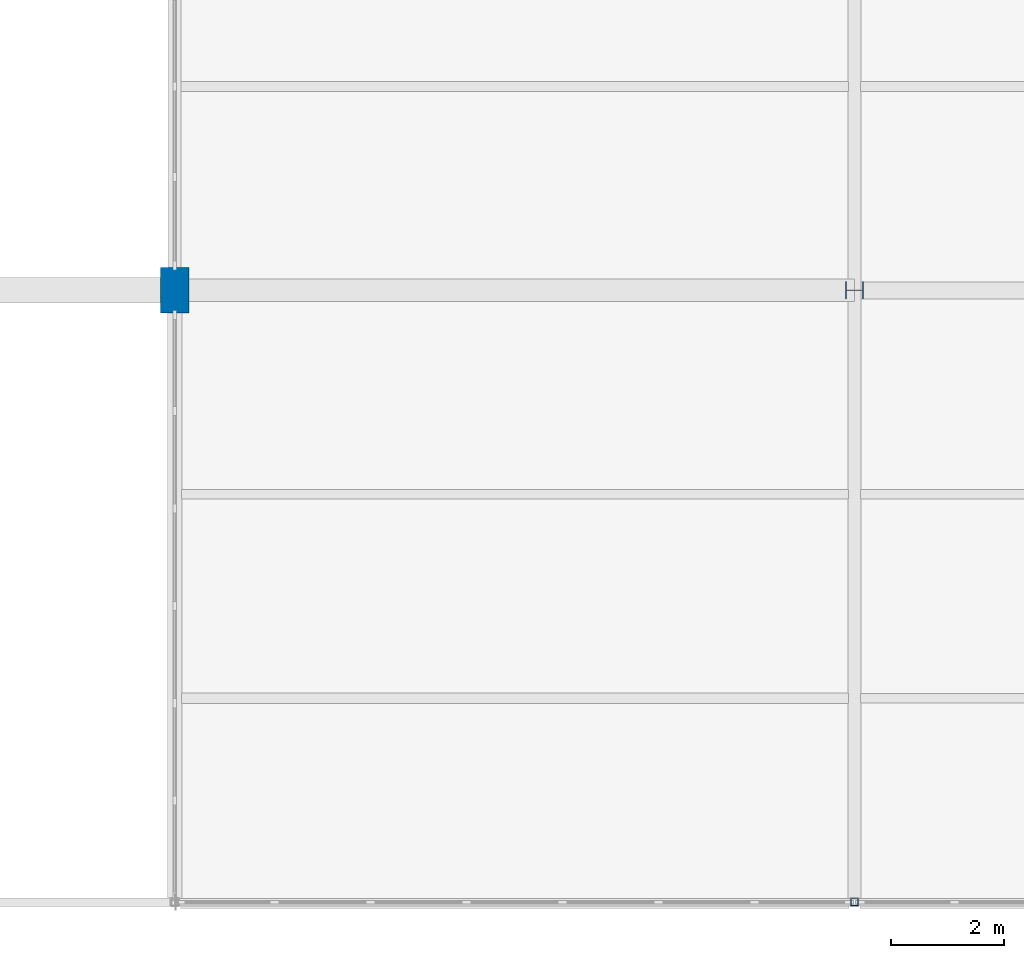
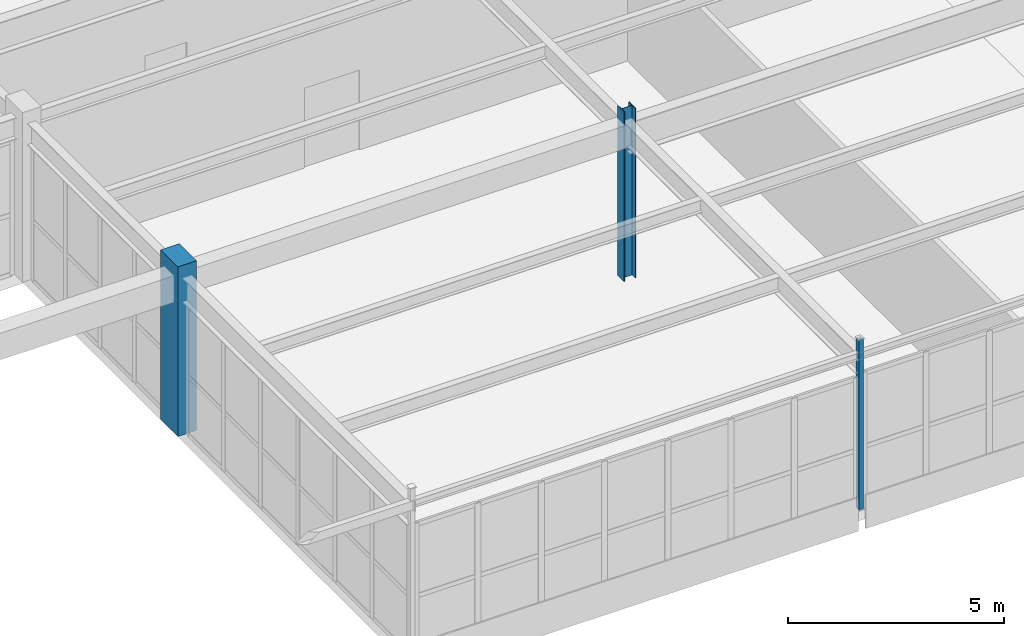
# One storey, part 34 of 186: 3 columns.
"""IFC4 building model written with IfcOpenShell, lengths in metres."""

from ifc_helpers import new_model, si_unit, direction, frame, origin, origin_2d, place, context, subcontext, project, spatial, rectangle, hollow_rectangle, i_section, extrude, material, material_profile, profile_set, type_object, element, save


model = new_model("IFC4")

# Units and contexts
model_context = context("Model", 3, precision=1e-05, world=origin(), true_north=direction((0.0, 1.0)))
body_context = subcontext(model_context, "Body", "Model", "MODEL_VIEW")
ifc_project = project(units=[si_unit("LENGTHUNIT", "METRE"), si_unit("AREAUNIT", "SQUARE_METRE"), si_unit("VOLUMEUNIT", "CUBIC_METRE"), si_unit("PLANEANGLEUNIT", "RADIAN"), si_unit("MASSUNIT", "GRAM", prefix="KILO")], contexts=[model_context])

# Site, building, storey
site_placement = place(None, origin())
site = spatial("IfcSite", under=ifc_project, at=site_placement, CompositionType="ELEMENT")
building_placement = place(site_placement, origin())
building = spatial("IfcBuilding", under=site, at=building_placement, Name="Tarnwether General Hospital", CompositionType="ELEMENT")
storey_placement = place(building_placement, frame((0.0, 0.0, 9.60009765625)))
storey = spatial("IfcBuildingStorey", under=building, at=storey_placement, Name="L02", CompositionType="ELEMENT", Elevation=9.60009765625)

# Columns
ifc_material_1 = material(Name="Steel Grade 350 (350 MPa)", Category="steel")
ifc_material_profile_1 = material_profile(ifc_material_1, i_section(OverallWidth=0.306884765625, OverallDepth=0.31494140625, WebThickness=0.011962890625, FlangeThickness=0.018798828125, at=origin_2d()), Name="310UC118")
ifc_profile_set_1 = profile_set([ifc_material_profile_1], Name="Steel Grade 350 (350 MPa)")
column_type_1 = type_object("IfcColumnType", Name="COL-07", PredefinedType="COLUMN", material=ifc_profile_set_1)
column_1_placement = place(storey_placement, frame((156.0, 10.800048828125, 0.0), z_axis=(0.0, 0.0, 1.0), x_axis=(0.0, 1.0, 0.0)))
element("IfcColumn", 1, at=column_1_placement, inside=storey, type_object=column_type_1, Name="Column COLG-L02-15600_1080", PredefinedType="COLUMN", context=body_context, shape_type="SweptSolid", body=[
    extrude(i_section(OverallWidth=0.306884765625, OverallDepth=0.31494140625, WebThickness=0.011962890625, FlangeThickness=0.018798828125, at=origin_2d()), origin(), (0.0, 0.0, 1.0), 4.7998046875),
])
ifc_material_2 = material(Name="Concrete 50 MPa", Category="concrete")
ifc_material_profile_2 = material_profile(ifc_material_2, rectangle(XDim=0.5, YDim=0.800048828125, at=origin_2d()), Name="RC-PIL-500x800")
ifc_profile_set_2 = profile_set([ifc_material_profile_2], Name="Concrete 50 MPa")
column_type_2 = type_object("IfcColumnType", Name="COL-23", PredefinedType="PILASTER", material=ifc_profile_set_2)
column_2_placement = place(storey_placement, frame((144.0, 10.800048828125, 0.0), z_axis=(0.0, 0.0, 1.0), x_axis=(1.0, 0.0, 0.0)))
element("IfcColumn", 2, at=column_2_placement, inside=storey, type_object=column_type_2, Name="Column COLG-L02-14400_1080", PredefinedType="PILASTER", context=body_context, shape_type="SweptSolid", body=[
    extrude(rectangle(XDim=0.5, YDim=0.800048828125, at=origin_2d()), origin(), (0.0, 0.0, 1.0), 4.7998046875),
])
ifc_material_3 = material(Name="Steel Grade C350L0 (350 MPa)", Category="steel")
ifc_material_profile_3 = material_profile(ifc_material_3, hollow_rectangle(XDim=0.125, YDim=0.125, WallThickness=0.006103515625, at=origin_2d()), Name="SHS125x125x6")
ifc_profile_set_3 = profile_set([ifc_material_profile_3], Name="Steel Grade C350L0 (350 MPa)")
column_type_3 = type_object("IfcColumnType", Name="COL-34", PredefinedType="COLUMN", material=ifc_profile_set_3)
column_3_placement = place(storey_placement, frame((156.0, 0.0, 0.0), z_axis=(0.0, 0.0, 1.0), x_axis=(0.0, 1.0, 0.0)))
element("IfcColumn", 3, at=column_3_placement, inside=storey, type_object=column_type_3, Name="Column COLG-L02-15600_0", PredefinedType="COLUMN", context=body_context, shape_type="SweptSolid", body=[
    extrude(hollow_rectangle(XDim=0.125, YDim=0.125, WallThickness=0.006103515625, at=origin_2d()), origin(), (0.0, 0.0, 1.0), 4.7998046875),
])

save(model, "model.ifc")
